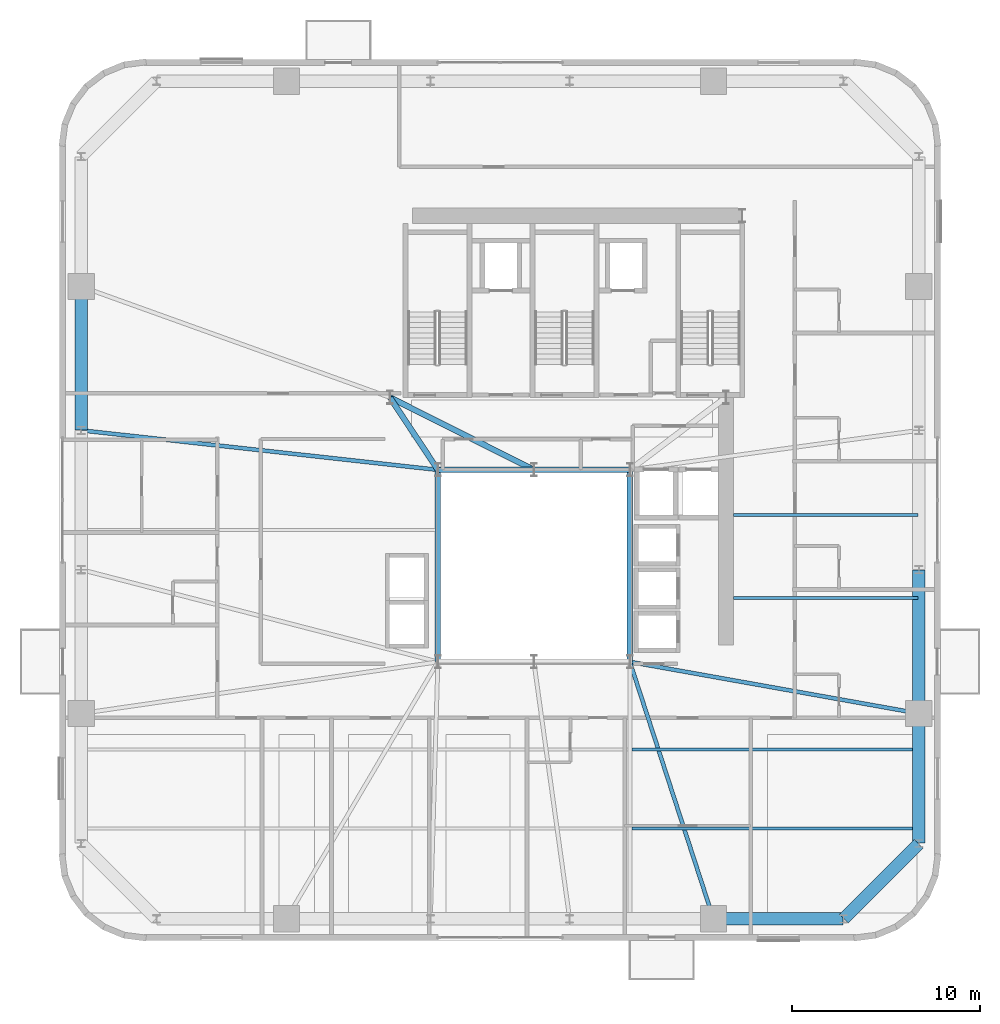
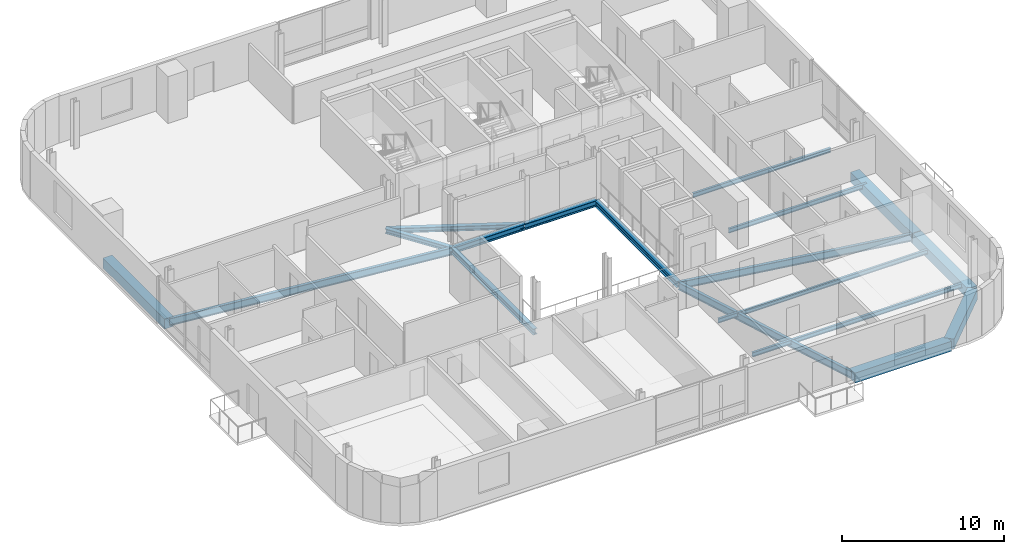
# One storey, part 4 of 16: 18 beams.
"""IFC4 building model written with IfcOpenShell, lengths in metres."""

from ifc_helpers import new_model, si_unit, direction, frame, origin, origin_2d, place, context, subcontext, project, spatial, rectangle, i_section, extrude, source, transform, mapped, material, material_profile, profile_set, type_object, element, save


model = new_model("IFC4")

# Units and contexts
model_context = context("Model", 3, precision=1e-05, world=origin(), true_north=direction((0.0, 1.0)))
body_context = subcontext(model_context, "Body", "Model", "MODEL_VIEW")
ifc_project = project(units=[si_unit("LENGTHUNIT", "METRE"), si_unit("AREAUNIT", "SQUARE_METRE"), si_unit("VOLUMEUNIT", "CUBIC_METRE"), si_unit("PLANEANGLEUNIT", "RADIAN"), si_unit("MASSUNIT", "GRAM", prefix="KILO")], contexts=[model_context])

# Site, building, storey
site_placement = place(None, origin())
site = spatial("IfcSite", under=ifc_project, at=site_placement, CompositionType="ELEMENT")
building_placement = place(site_placement, origin())
building = spatial("IfcBuilding", under=site, at=building_placement, Name="Vardaveli Station Tower", CompositionType="ELEMENT")
storey_placement = place(building_placement, frame((0.0, 0.0, 199.800048828125)))
storey = spatial("IfcBuildingStorey", under=building, at=storey_placement, Name="L51", CompositionType="ELEMENT", Elevation=199.800048828125)

# Beams
ifc_material_1 = material(Name="Structural steel S355J2", Category="steel")
ifc_material_profile_1 = material_profile(ifc_material_1, i_section(OverallWidth=0.300048828125, OverallDepth=0.449951171875, WebThickness=0.013916015625, FlangeThickness=0.02587890625, FilletRadius=0.027099609375, at=origin_2d()), Name="HEB 450")
ifc_profile_set_1 = profile_set([ifc_material_profile_1], Name="Structural steel S355J2")
beam_type_1 = type_object("IfcBeamType", Name="BM-HEB450", PredefinedType="BEAM", material=ifc_profile_set_1)
shared_shape_1 = source(origin(), body_context, "Body", "SweptSolid", [
    extrude(i_section(OverallWidth=0.300048828125, OverallDepth=0.449951171875, WebThickness=0.013916015625, FlangeThickness=0.02587890625, FilletRadius=0.027099609375, at=origin_2d()), origin(), (0.0, 0.0, 1.0), 5.06005859375),
])
beam_1_placement = place(storey_placement, frame((36.280029296875, 26.800048828125, -0.445068359375), z_axis=(-1.0, 0.0, 0.0), x_axis=(0.0, -1.0, 0.0)))
element("IfcBeam", 1, at=beam_1_placement, inside=storey, type_object=beam_type_1, Name="ABM-L51-05", PredefinedType="BEAM", context=body_context, shape_type="MappedRepresentation", body=[
    mapped(shared_shape_1, transform((0.0, 0.0, 0.0), scale=1.0)),
])
shared_shape_2 = source(origin(), body_context, "Body", "SweptSolid", [
    extrude(i_section(OverallWidth=0.300048828125, OverallDepth=0.449951171875, WebThickness=0.013916015625, FlangeThickness=0.02587890625, FilletRadius=0.027099609375, at=origin_2d()), origin(), (0.0, 0.0, 1.0), 5.059814453125),
])
beam_2_placement = place(storey_placement, frame((41.3798828125, 26.800048828125, -0.445068359375), z_axis=(-1.0, 0.0, 0.0), x_axis=(0.0, -1.0, 0.0)))
element("IfcBeam", 2, at=beam_2_placement, inside=storey, type_object=beam_type_1, Name="ABM-L51-04", PredefinedType="BEAM", context=body_context, shape_type="MappedRepresentation", body=[
    mapped(shared_shape_2, transform((0.0, 0.0, 0.0), scale=1.0)),
])
shared_shape_3 = source(origin(), body_context, "Body", "SweptSolid", [
    extrude(i_section(OverallWidth=0.300048828125, OverallDepth=0.449951171875, WebThickness=0.013916015625, FlangeThickness=0.02587890625, FilletRadius=0.027099609375, at=origin_2d()), origin(), (0.0, 0.0, 1.0), 10.159912109375),
])
for number, where, z_axis, x_axis, name in (
    (3, (41.39990234375, 16.6201171875, -0.445068359375), (0.0, 1.0, 0.0), (-1.0, 0.0, 0.0), "ABM-L51-03"),
    (4, (31.199951171875, 26.780029296875, -0.445068359375), (0.0, -1.0, 0.0), (1.0, 0.0, 0.0), "ABM-L51-06"),
):
    element("IfcBeam", number, at=place(storey_placement, frame(where, z_axis=z_axis, x_axis=x_axis)), inside=storey, type_object=beam_type_1, Name=name, PredefinedType="BEAM", context=body_context, shape_type="MappedRepresentation", body=[
        mapped(shared_shape_3, transform((0.0, 0.0, 0.0), scale=1.0)),
    ])
ifc_material_profile_2 = material_profile(ifc_material_1, i_section(OverallWidth=0.300048828125, OverallDepth=0.360107421875, WebThickness=0.012451171875, FlangeThickness=0.0224609375, FilletRadius=0.027099609375, at=origin_2d()), Name="HEB 360")
ifc_profile_set_2 = profile_set([ifc_material_profile_2], Name="Structural steel S355J2")
beam_type_2 = type_object("IfcBeamType", Name="BM-HEB360", PredefinedType="BEAM", material=ifc_profile_set_2)
shared_shape_4 = source(origin(), body_context, "Body", "SweptSolid", [
    extrude(i_section(OverallWidth=0.300048828125, OverallDepth=0.360107421875, WebThickness=0.012451171875, FlangeThickness=0.0224609375, FilletRadius=0.027099609375, at=origin_2d()), origin(), (0.0, 0.0, 1.0), 4.577880859375),
])
beam_3_placement = place(storey_placement, frame((31.18896484375, 26.816650390625, -0.400146484375), z_axis=(-0.55218702139, 0.833720272879, 0.0), x_axis=(-0.833720272879, -0.55218702139, 0.0)))
element("IfcBeam", 5, at=beam_3_placement, inside=storey, type_object=beam_type_2, Name="CBM-L51-01", PredefinedType="BEAM", context=body_context, shape_type="MappedRepresentation", body=[
    mapped(shared_shape_4, transform((0.0, 0.0, 0.0), scale=1.0)),
])
shared_shape_5 = source(origin(), body_context, "Body", "SweptSolid", [
    extrude(i_section(OverallWidth=0.300048828125, OverallDepth=0.360107421875, WebThickness=0.012451171875, FlangeThickness=0.0224609375, FilletRadius=0.027099609375, at=origin_2d()), origin(), (0.0, 0.0, 1.0), 8.524169921875),
])
beam_4_placement = place(storey_placement, frame((28.66796875, 30.64111328125, -0.400146484375), z_axis=(0.893255584708, -0.449549174605, 0.0), x_axis=(0.449549174605, 0.893255584708, 0.0)))
element("IfcBeam", 6, at=beam_4_placement, inside=storey, type_object=beam_type_2, Name="CBM-L51-03", PredefinedType="BEAM", context=body_context, shape_type="MappedRepresentation", body=[
    mapped(shared_shape_5, transform((0.0, 0.0, 0.0), scale=1.0)),
])
ifc_material_2 = material(Name="Precast concrete C45/55", Category="concrete")
ifc_material_profile_3 = material_profile(ifc_material_2, rectangle(XDim=0.64990234375, YDim=0.75, at=origin_2d()), Name="LPB 650x750")
ifc_profile_set_3 = profile_set([ifc_material_profile_3], Name="Precast concrete C45/55")
beam_type_3 = type_object("IfcBeamType", Name="BM-LPB-750", PredefinedType="BEAM", material=ifc_profile_set_3)
shared_shape_6 = source(origin(), body_context, "Body", "SweptSolid", [
    extrude(rectangle(XDim=0.64990234375, YDim=0.75, at=origin_2d()), origin(), (0.0, 0.0, 1.0), 7.60009765625),
])
for number, where, z_axis, x_axis, name in (
    (7, (56.75, 13.8798828125, -0.594970703125), (0.0, 1.0, 0.0), (-1.0, 0.0, 0.0), "RBM-L51-07"),
    (8, (12.25, 36.52001953125, -0.594970703125), (0.0, -1.0, 0.0), (1.0, 0.0, 0.0), "RBM-L51-19"),
):
    element("IfcBeam", number, at=place(storey_placement, frame(where, z_axis=z_axis, x_axis=x_axis)), inside=storey, type_object=beam_type_3, Name=name, PredefinedType="BEAM", context=body_context, shape_type="MappedRepresentation", body=[
        mapped(shared_shape_6, transform((0.0, 0.0, 0.0), scale=1.0)),
    ])
shared_shape_7 = source(origin(), body_context, "Body", "SweptSolid", [
    extrude(rectangle(XDim=0.64990234375, YDim=0.75, at=origin_2d()), origin(), (0.0, 0.0, 1.0), 6.869873046875),
])
beam_5_placement = place(storey_placement, frame((45.860107421875, 2.949951171875, -0.594970703125), z_axis=(1.0, 0.0, 0.0), x_axis=(0.0, 1.0, 0.0)))
element("IfcBeam", 9, at=beam_5_placement, inside=storey, type_object=beam_type_3, Name="RBM-L51-04", PredefinedType="BEAM", context=body_context, shape_type="MappedRepresentation", body=[
    mapped(shared_shape_7, transform((0.0, 0.0, 0.0), scale=1.0)),
])
shared_shape_8 = source(origin(), body_context, "Body", "SweptSolid", [
    extrude(rectangle(XDim=0.64990234375, YDim=0.75, at=origin_2d()), origin(), (0.0, 0.0, 1.0), 5.61669921875),
])
beam_6_placement = place(storey_placement, frame((52.76416015625, 2.964111328125, -0.594970703125), z_axis=(0.707106781187, 0.707106781187, 0.0), x_axis=(-0.707106781187, 0.707106781187, 0.0)))
element("IfcBeam", 10, at=beam_6_placement, inside=storey, type_object=beam_type_3, Name="RBM-L51-05", PredefinedType="BEAM", context=body_context, shape_type="MappedRepresentation", body=[
    mapped(shared_shape_8, transform((0.0, 0.0, 0.0), scale=1.0)),
])
shared_shape_9 = source(origin(), body_context, "Body", "SweptSolid", [
    extrude(rectangle(XDim=0.64990234375, YDim=0.75, at=origin_2d()), origin(), (0.0, 0.0, 1.0), 6.8701171875),
])
beam_7_placement = place(storey_placement, frame((56.75, 6.969970703125, -0.594970703125), z_axis=(0.0, 1.0, 0.0), x_axis=(-1.0, 0.0, 0.0)))
element("IfcBeam", 11, at=beam_7_placement, inside=storey, type_object=beam_type_3, Name="RBM-L51-06", PredefinedType="BEAM", context=body_context, shape_type="MappedRepresentation", body=[
    mapped(shared_shape_9, transform((0.0, 0.0, 0.0), scale=1.0)),
])
ifc_material_profile_4 = material_profile(ifc_material_1, i_section(OverallWidth=0.159912109375, OverallDepth=0.330078125, WebThickness=0.007568359375, FlangeThickness=0.011474609375, FilletRadius=0.01806640625, at=origin_2d()), Name="IPE 330")
ifc_profile_set_4 = profile_set([ifc_material_profile_4], Name="Structural steel S355J2")
beam_type_4 = type_object("IfcBeamType", Name="BM-IPE330", PredefinedType="JOIST", material=ifc_profile_set_4)
shared_shape_10 = source(origin(), body_context, "Body", "SweptSolid", [
    extrude(i_section(OverallWidth=0.159912109375, OverallDepth=0.330078125, WebThickness=0.007568359375, FlangeThickness=0.011474609375, FilletRadius=0.01806640625, at=origin_2d()), origin(), (0.0, 0.0, 1.0), 15.197998046875),
])
for number, where, z_axis, x_axis, name in (
    (12, (41.511962890625, 7.75, -0.385009765625), (1.0, 0.0, 0.0), (0.0, 1.0, 0.0), "SJ-L51-S02"),
    (13, (41.511962890625, 11.949951171875, -0.385009765625), (1.0, 0.0, 0.0), (0.0, 1.0, 0.0), "SJ-L51-S04"),
):
    element("IfcBeam", number, at=place(storey_placement, frame(where, z_axis=z_axis, x_axis=x_axis)), inside=storey, type_object=beam_type_4, Name=name, PredefinedType="JOIST", context=body_context, shape_type="MappedRepresentation", body=[
        mapped(shared_shape_10, transform((0.0, 0.0, 0.0), scale=1.0)),
    ])
shared_shape_11 = source(origin(), body_context, "Body", "SweptSolid", [
    extrude(i_section(OverallWidth=0.159912109375, OverallDepth=0.330078125, WebThickness=0.007568359375, FlangeThickness=0.011474609375, FilletRadius=0.01806640625, at=origin_2d()), origin(), (0.0, 0.0, 1.0), 9.804931640625),
])
for number, where, z_axis, x_axis, name in (
    (14, (46.905029296875, 20.0, -0.385009765625), (1.0, 0.0, 0.0), (0.0, 1.0, 0.0), "SJ-L51-E07"),
    (15, (46.905029296875, 24.39990234375, -0.385009765625), (1.0, 0.0, 0.0), (0.0, 1.0, 0.0), "SJ-L51-E08"),
):
    element("IfcBeam", number, at=place(storey_placement, frame(where, z_axis=z_axis, x_axis=x_axis)), inside=storey, type_object=beam_type_4, Name=name, PredefinedType="JOIST", context=body_context, shape_type="MappedRepresentation", body=[
        mapped(shared_shape_11, transform((0.0, 0.0, 0.0), scale=1.0)),
    ])
ifc_material_profile_5 = material_profile(ifc_material_1, i_section(OverallWidth=0.2099609375, OverallDepth=0.550048828125, WebThickness=0.010986328125, FlangeThickness=0.01708984375, FilletRadius=0.02392578125, at=origin_2d()), Name="IPE 550")
ifc_profile_set_5 = profile_set([ifc_material_profile_5], Name="Structural steel S355J2")
beam_type_5 = type_object("IfcBeamType", Name="BM-IPE550", PredefinedType="BEAM", material=ifc_profile_set_5)
shared_shape_12 = source(origin(), body_context, "Body", "SweptSolid", [
    extrude(i_section(OverallWidth=0.2099609375, OverallDepth=0.550048828125, WebThickness=0.010986328125, FlangeThickness=0.01708984375, FilletRadius=0.02392578125, at=origin_2d()), origin(), (0.0, 0.0, 1.0), 14.31396484375),
])
beam_8_placement = place(storey_placement, frame((45.833740234375, 2.968994140625, -0.4951171875), z_axis=(-0.309311678023, 0.950960717295, 0.0), x_axis=(-0.950960717295, -0.309311678023, 0.0)))
element("IfcBeam", 16, at=beam_8_placement, inside=storey, type_object=beam_type_5, Name="GBM-L51-04", PredefinedType="BEAM", context=body_context, shape_type="MappedRepresentation", body=[
    mapped(shared_shape_12, transform((0.0, 0.0, 0.0), scale=1.0)),
])
shared_shape_13 = source(origin(), body_context, "Body", "SweptSolid", [
    extrude(i_section(OverallWidth=0.2099609375, OverallDepth=0.550048828125, WebThickness=0.010986328125, FlangeThickness=0.01708984375, FilletRadius=0.02392578125, at=origin_2d()), origin(), (0.0, 0.0, 1.0), 15.552490234375),
])
beam_9_placement = place(storey_placement, frame((56.730224609375, 13.863525390625, -0.4951171875), z_axis=(-0.984439991578, 0.1757210943, 0.0), x_axis=(-0.1757210943, -0.984439991578, 0.0)))
element("IfcBeam", 17, at=beam_9_placement, inside=storey, type_object=beam_type_5, Name="GBM-L51-05", PredefinedType="BEAM", context=body_context, shape_type="MappedRepresentation", body=[
    mapped(shared_shape_13, transform((0.0, 0.0, 0.0), scale=1.0)),
])
shared_shape_14 = source(origin(), body_context, "Body", "SweptSolid", [
    extrude(i_section(OverallWidth=0.2099609375, OverallDepth=0.550048828125, WebThickness=0.010986328125, FlangeThickness=0.01708984375, FilletRadius=0.02392578125, at=origin_2d()), origin(), (0.0, 0.0, 1.0), 19.026123046875),
])
beam_10_placement = place(storey_placement, frame((12.269775390625, 28.897705078125, -0.4951171875), z_axis=(0.993916552721, -0.110135762707, 0.0), x_axis=(0.110135762707, 0.993916552721, 0.0)))
element("IfcBeam", 18, at=beam_10_placement, inside=storey, type_object=beam_type_5, Name="GBM-L51-08", PredefinedType="BEAM", context=body_context, shape_type="MappedRepresentation", body=[
    mapped(shared_shape_14, transform((0.0, 0.0, 0.0), scale=1.0)),
])

save(model, "model.ifc")
